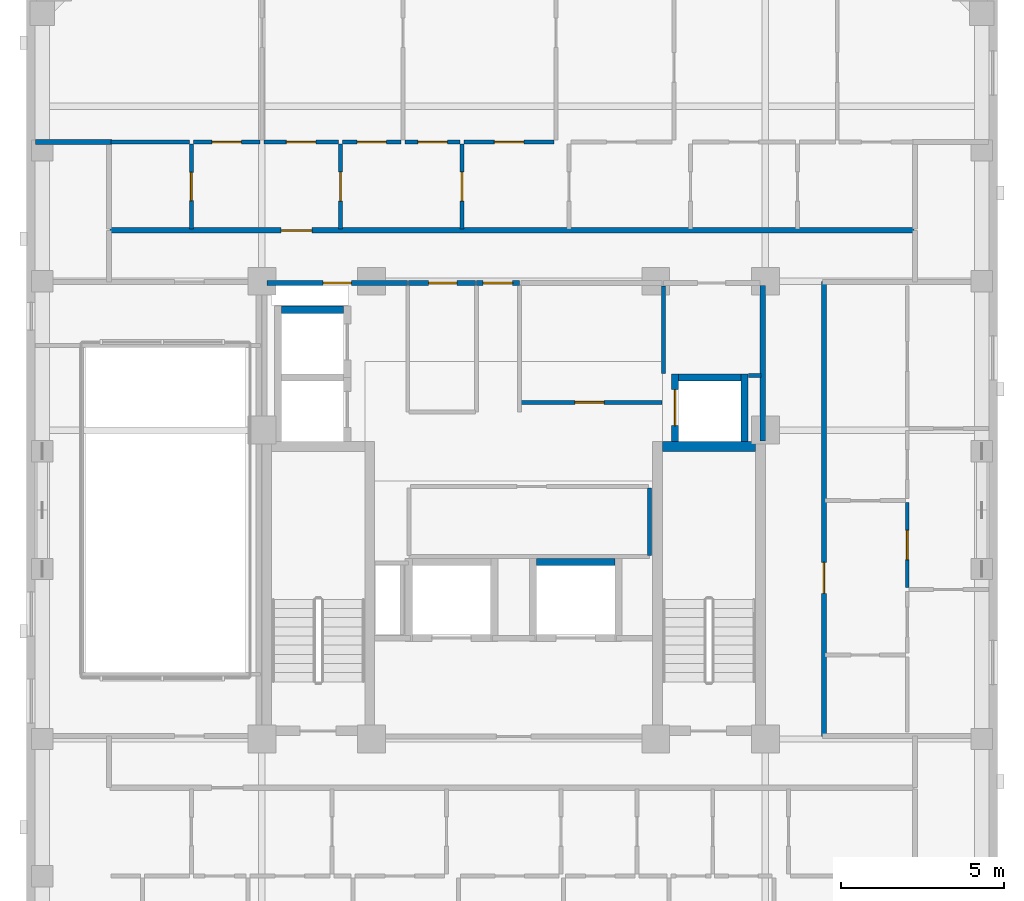
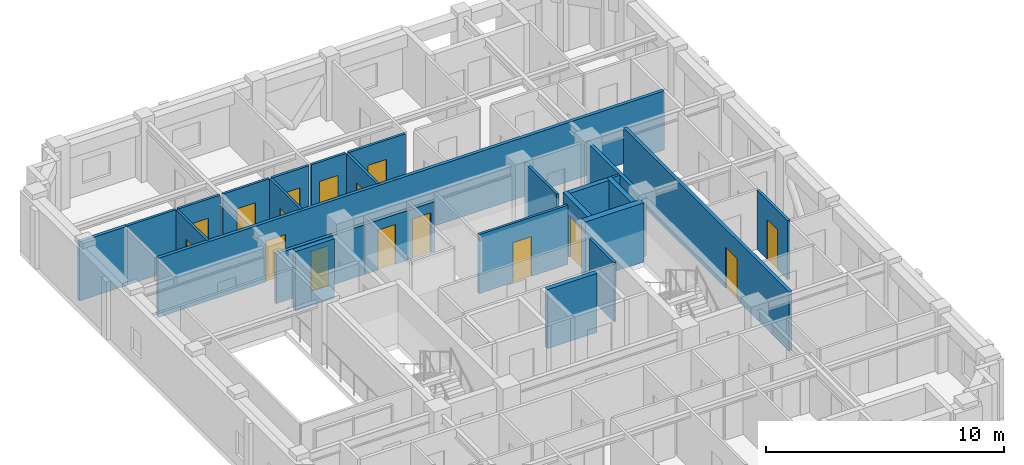
# One storey, part 7 of 12: 27 walls, 16 doors, 16 openings.
"""IFC4 building model written with IfcOpenShell, lengths in metres."""

from ifc_helpers import new_model, si_unit, derived_unit, direction, frame, frame_2d, origin, place, context, subcontext, project, spatial, rectangle, extrude, material, layer, layer_set, type_object, element, fill, save


model = new_model("IFC4")

# Units and contexts
model_context = context("Model", 3, precision=1e-05, world=origin(), true_north=direction((0.0, 1.0)))
body_context = subcontext(model_context, "Body", "Model", "MODEL_VIEW")
ifc_project = project(units=[si_unit("LENGTHUNIT", "METRE"), si_unit("AREAUNIT", "SQUARE_METRE"), si_unit("VOLUMEUNIT", "CUBIC_METRE"), si_unit("PLANEANGLEUNIT", "RADIAN"), si_unit("MASSUNIT", "GRAM", prefix="KILO"), derived_unit("THERMALTRANSMITTANCEUNIT", [(si_unit("MASSUNIT", "GRAM", prefix="KILO"), 1), (si_unit("TIMEUNIT", "SECOND"), -3), (si_unit("THERMODYNAMICTEMPERATUREUNIT", "KELVIN"), -1)])], contexts=[model_context])

# Site, building, storey
site_placement = place(None, origin())
site = spatial("IfcSite", under=ifc_project, at=site_placement, CompositionType="ELEMENT")
building_placement = place(site_placement, origin())
building = spatial("IfcBuilding", under=site, at=building_placement, Name="Korrvale Station Residences", CompositionType="ELEMENT")
storey_placement = place(building_placement, frame((0.0, 0.0, 184.300048828125)))
storey = spatial("IfcBuildingStorey", under=building, at=storey_placement, Name="L53", CompositionType="ELEMENT", Elevation=184.300048828125)

# Walls
ifc_material_1 = material(Name="Concrete C50/60", Category="concrete")
ifc_layer_1 = layer(ifc_material_1, 0.300048828125, Name="Concrete C50/60")
ifc_layer_set_1 = layer_set([ifc_layer_1], Name="Concrete C50/60")
wall_type_1 = type_object("IfcWallType", Name="WAL-CORE-300-C50", PredefinedType="SHEAR", material=ifc_layer_set_1)
wall_1_placement = place(storey_placement, frame((30.050048828125, 23.949951171875, 0.0), z_axis=(0.0, 0.0, 1.0), x_axis=(1.0, 0.0, 0.0)))
element("IfcWall", 1, at=wall_1_placement, inside=storey, type_object=wall_type_1, Name="L53 ST-2 Core Shear Wall North", PredefinedType="SHEAR", context=body_context, shape_type="SweptSolid", body=[
    extrude(rectangle(XDim=2.849853515625, YDim=0.300048828125, at=frame_2d((1.4248046875, 0.0))), origin(), (0.0, 0.0, 1.0), 3.0400390625),
])
ifc_material_2 = material(Name="Acoustic steel-stud gypsum board partition", Category="steel")
ifc_layer_2 = layer(ifc_material_2, 0.1201171875, Name="Acoustic steel-stud gypsum board partition")
ifc_layer_set_2 = layer_set([ifc_layer_2], Name="Acoustic steel-stud gypsum board partition")
wall_type_2 = type_object("IfcWallType", Name="WAL-PART-125", PredefinedType="PARTITIONING", material=ifc_layer_set_2)
wall_2_placement = place(storey_placement, frame((30.080078125, 26.179931640625, 0.0), z_axis=(0.0, 0.0, 1.0), x_axis=(0.0, 1.0, 0.0)))
element("IfcWall", 2, at=wall_2_placement, inside=storey, type_object=wall_type_2, Name="L53 Core Partition CW-CS-W", PredefinedType="PARTITIONING", context=body_context, shape_type="SweptSolid", body=[
    extrude(rectangle(XDim=2.68017578125, YDim=0.1201171875, at=frame_2d((1.340087890625, 0.0))), origin(), (0.0, 0.0, 1.0), 3.0400390625),
])
wall_3_placement = place(storey_placement, frame((32.679931640625, 26.1201171875, 0.0), z_axis=(0.0, 0.0, 1.0), x_axis=(1.0, 0.0, 0.0)))
element("IfcWall", 3, at=wall_3_placement, inside=storey, type_object=wall_type_2, Name="L53 Core Partition CW-CS-S", PredefinedType="PARTITIONING", context=body_context, shape_type="SweptSolid", body=[
    extrude(rectangle(XDim=0.380126953125, YDim=0.1201171875, at=frame_2d((0.18994140625, 0.0))), origin(), (0.0, 0.0, 1.0), 3.0400390625),
])

# Wall, opening, door
wall_4_placement = place(storey_placement, frame((25.719970703125, 25.300048828125, 0.0), z_axis=(0.0, 0.0, 1.0), x_axis=(1.0, 0.0, 0.0)))
wall_4 = element("IfcWall", 4, at=wall_4_placement, inside=storey, type_object=wall_type_2, Name="L53 Core Partition CW-FPLE-S", PredefinedType="PARTITIONING", context=body_context, shape_type="SweptSolid", body=[
    extrude(rectangle(XDim=4.320068359375, YDim=0.1201171875, at=frame_2d((2.16015625, 0.0))), origin(), (0.0, 0.0, 1.0), 3.0400390625),
])
opening_1_placement = place(wall_4_placement, frame((1.64990234375, 0.0, 0.0)))
opening_1 = element("IfcOpeningElement", 5, at=opening_1_placement, cuts=wall_4, Name="Opening DI-900", PredefinedType="OPENING", context=body_context, shape_type="SweptSolid", body=[
    extrude(rectangle(XDim=0.89990234375, YDim=2.050048828125, at=frame_2d((0.449951171875, 1.02490234375))), frame((0.0, 0.070068359375, 0.0), z_axis=(0.0, -1.0, 0.0), x_axis=(1.0, 0.0, 0.0)), (0.0, 0.0, 1.0), 0.14013671875),
])
ifc_material_3 = material(Name="Painted solid-core timber interior room door", Category="wood")
door_type_1 = type_object("IfcDoorType", Name="DR-INT-900", OperationType="NOTDEFINED", PredefinedType="DOOR", material=ifc_material_3)
door_1_placement = place(opening_1_placement, origin())
door_1 = element("IfcDoor", 6, at=door_1_placement, inside=storey, type_object=door_type_1, Name="L53 Housekeeping Linen Door", OperationType="SINGLE_SWING_LEFT", OverallHeight=2.050048828125, OverallWidth=0.89990234375, PredefinedType="DOOR", context=body_context, shape_type="SweptSolid", body=[
    extrude(rectangle(XDim=0.89990234375, YDim=2.050048828125, at=frame_2d((0.449951171875, 1.02490234375))), frame((0.0, 0.02490234375, 0.0), z_axis=(0.0, -1.0, 0.0), x_axis=(1.0, 0.0, 0.0)), (0.0, 0.0, 1.0), 0.050048828125),
])
fill(opening_1, door_1)

# Wall
wall_5_placement = place(storey_placement, frame((29.659912109375, 20.6201171875, 0.0), z_axis=(0.0, 0.0, 1.0), x_axis=(0.0, 1.0, 0.0)))
element("IfcWall", 7, at=wall_5_placement, inside=storey, type_object=wall_type_2, Name="L53 Core Partition CW-FPM-E", PredefinedType="PARTITIONING", context=body_context, shape_type="SweptSolid", body=[
    extrude(rectangle(XDim=2.059814453125, YDim=0.1201171875, at=frame_2d((1.02978515625, 0.0))), origin(), (0.0, 0.0, 1.0), 3.0400390625),
])

# Wall, opening, door
wall_6_placement = place(storey_placement, frame((15.639892578125, 30.60009765625, 0.0), z_axis=(0.0, 0.0, 1.0), x_axis=(0.0, 1.0, 0.0)))
wall_6 = element("IfcWall", 8, at=wall_6_placement, inside=storey, type_object=wall_type_2, Name="L53 Suite Partition U02-V01", PredefinedType="PARTITIONING", context=body_context, shape_type="SweptSolid", body=[
    extrude(rectangle(XDim=2.599853515625, YDim=0.1201171875, at=frame_2d((1.2998046875, 0.0))), origin(), (0.0, 0.0, 1.0), 3.0400390625),
])
opening_2_placement = place(wall_6_placement, frame((0.8701171875, 0.0, 0.0)))
opening_2 = element("IfcOpeningElement", 9, at=opening_2_placement, cuts=wall_6, Name="Opening DB-860", PredefinedType="OPENING", context=body_context, shape_type="SweptSolid", body=[
    extrude(rectangle(XDim=0.860107421875, YDim=2.050048828125, at=frame_2d((0.43017578125, 1.02490234375))), frame((0.0, 0.070068359375, 0.0), z_axis=(0.0, -1.0, 0.0), x_axis=(1.0, 0.0, 0.0)), (0.0, 0.0, 1.0), 0.14013671875),
])
ifc_material_4 = material(Name="Moisture-resistant solid-core bathroom door", Category="timber")
door_type_2 = type_object("IfcDoorType", Name="DR-BATH-860", OperationType="NOTDEFINED", PredefinedType="DOOR", material=ifc_material_4)
door_2_placement = place(opening_2_placement, origin())
door_2 = element("IfcDoor", 10, at=door_2_placement, inside=storey, type_object=door_type_2, Name="L53 Apartment 3BR L53-U02 Bathroom Door", OperationType="SINGLE_SWING_LEFT", OverallHeight=2.050048828125, OverallWidth=0.860107421875, PredefinedType="DOOR", context=body_context, shape_type="SweptSolid", body=[
    extrude(rectangle(XDim=0.860107421875, YDim=2.050048828125, at=frame_2d((0.43017578125, 1.02490234375))), frame((0.0, 0.02490234375, 0.0), z_axis=(0.0, -1.0, 0.0), x_axis=(1.0, 0.0, 0.0)), (0.0, 0.0, 1.0), 0.050048828125),
])
fill(opening_2, door_2)

# Wall
wall_7_placement = place(storey_placement, frame((13.179931640625, 33.260009765625, 0.0), z_axis=(0.0, 0.0, 1.0), x_axis=(1.0, 0.0, 0.0)))
element("IfcWall", 11, at=wall_7_placement, inside=storey, type_object=wall_type_2, Name="L53 Suite Partition U02-H07", PredefinedType="PARTITIONING", context=body_context, shape_type="SweptSolid", body=[
    extrude(rectangle(XDim=2.400146484375, YDim=0.1201171875, at=frame_2d((1.2001953125, 0.0))), origin(), (0.0, 0.0, 1.0), 3.0400390625),
])

# Wall, opening, door
wall_8_placement = place(storey_placement, frame((20.199951171875, 30.60009765625, 0.0), z_axis=(0.0, 0.0, 1.0), x_axis=(0.0, 1.0, 0.0)))
wall_8 = element("IfcWall", 12, at=wall_8_placement, inside=storey, type_object=wall_type_2, Name="L53 Suite Partition U02-V12", PredefinedType="PARTITIONING", context=body_context, shape_type="SweptSolid", body=[
    extrude(rectangle(XDim=2.599853515625, YDim=0.1201171875, at=frame_2d((1.2998046875, 0.0))), origin(), (0.0, 0.0, 1.0), 3.0400390625),
])
opening_3_placement = place(wall_8_placement, frame((0.85009765625, 0.0, 0.0)))
opening_3 = element("IfcOpeningElement", 13, at=opening_3_placement, cuts=wall_8, Name="Opening DI-900", PredefinedType="OPENING", context=body_context, shape_type="SweptSolid", body=[
    extrude(rectangle(XDim=0.89990234375, YDim=2.050048828125, at=frame_2d((0.449951171875, 1.02490234375))), frame((0.0, 0.070068359375, 0.0), z_axis=(0.0, -1.0, 0.0), x_axis=(1.0, 0.0, 0.0)), (0.0, 0.0, 1.0), 0.14013671875),
])
door_3_placement = place(opening_3_placement, origin())
door_3 = element("IfcDoor", 14, at=door_3_placement, inside=storey, type_object=door_type_1, Name="L53 Apartment 3BR L53-U02 Kitchen Door", OperationType="SINGLE_SWING_RIGHT", OverallHeight=2.050048828125, OverallWidth=0.89990234375, PredefinedType="DOOR", context=body_context, shape_type="SweptSolid", body=[
    extrude(rectangle(XDim=0.89990234375, YDim=2.050048828125, at=frame_2d((0.449951171875, 1.02490234375))), frame((0.0, 0.02490234375, 0.0), z_axis=(0.0, -1.0, 0.0), x_axis=(1.0, 0.0, 0.0)), (0.0, 0.0, 1.0), 0.050048828125),
])
fill(opening_3, door_3)

wall_9_placement = place(storey_placement, frame((15.699951171875, 33.260009765625, 0.0), z_axis=(0.0, 0.0, 1.0), x_axis=(1.0, 0.0, 0.0)))
wall_9 = element("IfcWall", 15, at=wall_9_placement, inside=storey, type_object=wall_type_2, Name="L53 Suite Partition U02-H17", PredefinedType="PARTITIONING", context=body_context, shape_type="SweptSolid", body=[
    extrude(rectangle(XDim=2.0400390625, YDim=0.1201171875, at=frame_2d((1.02001953125, 0.0))), origin(), (0.0, 0.0, 1.0), 3.0400390625),
])
opening_4_placement = place(wall_9_placement, frame((0.570068359375, 0.0, 0.0)))
opening_4 = element("IfcOpeningElement", 16, at=opening_4_placement, cuts=wall_9, Name="Opening DI-900", PredefinedType="OPENING", context=body_context, shape_type="SweptSolid", body=[
    extrude(rectangle(XDim=0.89990234375, YDim=2.050048828125, at=frame_2d((0.449951171875, 1.02490234375))), frame((0.0, 0.070068359375, 0.0), z_axis=(0.0, -1.0, 0.0), x_axis=(1.0, 0.0, 0.0)), (0.0, 0.0, 1.0), 0.14013671875),
])
door_4_placement = place(opening_4_placement, origin())
door_4 = element("IfcDoor", 17, at=door_4_placement, inside=storey, type_object=door_type_1, Name="L53 Apartment 3BR L53-U02 Kitchen Door", OperationType="SINGLE_SWING_LEFT", OverallHeight=2.050048828125, OverallWidth=0.89990234375, PredefinedType="DOOR", context=body_context, shape_type="SweptSolid", body=[
    extrude(rectangle(XDim=0.89990234375, YDim=2.050048828125, at=frame_2d((0.449951171875, 1.02490234375))), frame((0.0, 0.02490234375, 0.0), z_axis=(0.0, -1.0, 0.0), x_axis=(1.0, 0.0, 0.0)), (0.0, 0.0, 1.0), 0.050048828125),
])
fill(opening_4, door_4)

wall_10_placement = place(storey_placement, frame((17.860107421875, 33.260009765625, 0.0), z_axis=(0.0, 0.0, 1.0), x_axis=(1.0, 0.0, 0.0)))
wall_10 = element("IfcWall", 18, at=wall_10_placement, inside=storey, type_object=wall_type_2, Name="L53 Suite Partition U02-H18", PredefinedType="PARTITIONING", context=body_context, shape_type="SweptSolid", body=[
    extrude(rectangle(XDim=2.27978515625, YDim=0.1201171875, at=frame_2d((1.139892578125, 0.0))), origin(), (0.0, 0.0, 1.0), 3.0400390625),
])
opening_5_placement = place(wall_10_placement, frame((0.68994140625, 0.0, 0.0)))
opening_5 = element("IfcOpeningElement", 19, at=opening_5_placement, cuts=wall_10, Name="Opening DI-900", PredefinedType="OPENING", context=body_context, shape_type="SweptSolid", body=[
    extrude(rectangle(XDim=0.89990234375, YDim=2.050048828125, at=frame_2d((0.449951171875, 1.02490234375))), frame((0.0, 0.070068359375, 0.0), z_axis=(0.0, -1.0, 0.0), x_axis=(1.0, 0.0, 0.0)), (0.0, 0.0, 1.0), 0.14013671875),
])
door_5_placement = place(opening_5_placement, origin())
door_5 = element("IfcDoor", 20, at=door_5_placement, inside=storey, type_object=door_type_1, Name="L53 Apartment 3BR L53-U02 Kitchen Door", OperationType="SINGLE_SWING_RIGHT", OverallHeight=2.050048828125, OverallWidth=0.89990234375, PredefinedType="DOOR", context=body_context, shape_type="SweptSolid", body=[
    extrude(rectangle(XDim=0.89990234375, YDim=2.050048828125, at=frame_2d((0.449951171875, 1.02490234375))), frame((0.0, 0.02490234375, 0.0), z_axis=(0.0, -1.0, 0.0), x_axis=(1.0, 0.0, 0.0)), (0.0, 0.0, 1.0), 0.050048828125),
])
fill(opening_5, door_5)

wall_11_placement = place(storey_placement, frame((23.919921875, 30.60009765625, 0.0), z_axis=(0.0, 0.0, 1.0), x_axis=(0.0, 1.0, 0.0)))
wall_11 = element("IfcWall", 21, at=wall_11_placement, inside=storey, type_object=wall_type_2, Name="L53 Suite Partition U02-V23", PredefinedType="PARTITIONING", context=body_context, shape_type="SweptSolid", body=[
    extrude(rectangle(XDim=2.599853515625, YDim=0.1201171875, at=frame_2d((1.2998046875, 0.0))), origin(), (0.0, 0.0, 1.0), 3.0400390625),
])
opening_6_placement = place(wall_11_placement, frame((0.85009765625, 0.0, 0.0)))
opening_6 = element("IfcOpeningElement", 22, at=opening_6_placement, cuts=wall_11, Name="Opening DI-900", PredefinedType="OPENING", context=body_context, shape_type="SweptSolid", body=[
    extrude(rectangle(XDim=0.89990234375, YDim=2.050048828125, at=frame_2d((0.449951171875, 1.02490234375))), frame((0.0, 0.070068359375, 0.0), z_axis=(0.0, -1.0, 0.0), x_axis=(1.0, 0.0, 0.0)), (0.0, 0.0, 1.0), 0.14013671875),
])
door_6_placement = place(opening_6_placement, origin())
door_6 = element("IfcDoor", 23, at=door_6_placement, inside=storey, type_object=door_type_1, Name="L53 Apartment 3BR L53-U02 Utility and Laundry Room Door", OperationType="SINGLE_SWING_LEFT", OverallHeight=2.050048828125, OverallWidth=0.89990234375, PredefinedType="DOOR", context=body_context, shape_type="SweptSolid", body=[
    extrude(rectangle(XDim=0.89990234375, YDim=2.050048828125, at=frame_2d((0.449951171875, 1.02490234375))), frame((0.0, 0.02490234375, 0.0), z_axis=(0.0, -1.0, 0.0), x_axis=(1.0, 0.0, 0.0)), (0.0, 0.0, 1.0), 0.050048828125),
])
fill(opening_6, door_6)

wall_12_placement = place(storey_placement, frame((20.260009765625, 33.260009765625, 0.0), z_axis=(0.0, 0.0, 1.0), x_axis=(1.0, 0.0, 0.0)))
wall_12 = element("IfcWall", 24, at=wall_12_placement, inside=storey, type_object=wall_type_2, Name="L53 Suite Partition U02-H28", PredefinedType="PARTITIONING", context=body_context, shape_type="SweptSolid", body=[
    extrude(rectangle(XDim=1.800048828125, YDim=0.1201171875, at=frame_2d((0.89990234375, 0.0))), origin(), (0.0, 0.0, 1.0), 3.0400390625),
])
opening_7_placement = place(wall_12_placement, frame((0.449951171875, 0.0, 0.0)))
opening_7 = element("IfcOpeningElement", 25, at=opening_7_placement, cuts=wall_12, Name="Opening DI-900", PredefinedType="OPENING", context=body_context, shape_type="SweptSolid", body=[
    extrude(rectangle(XDim=0.89990234375, YDim=2.050048828125, at=frame_2d((0.449951171875, 1.02490234375))), frame((0.0, 0.070068359375, 0.0), z_axis=(0.0, -1.0, 0.0), x_axis=(1.0, 0.0, 0.0)), (0.0, 0.0, 1.0), 0.14013671875),
])
door_7_placement = place(opening_7_placement, origin())
door_7 = element("IfcDoor", 26, at=door_7_placement, inside=storey, type_object=door_type_1, Name="L53 Apartment 3BR L53-U02 Utility and Laundry Room Door", OperationType="SINGLE_SWING_RIGHT", OverallHeight=2.050048828125, OverallWidth=0.89990234375, PredefinedType="DOOR", context=body_context, shape_type="SweptSolid", body=[
    extrude(rectangle(XDim=0.89990234375, YDim=2.050048828125, at=frame_2d((0.449951171875, 1.02490234375))), frame((0.0, 0.02490234375, 0.0), z_axis=(0.0, -1.0, 0.0), x_axis=(1.0, 0.0, 0.0)), (0.0, 0.0, 1.0), 0.050048828125),
])
fill(opening_7, door_7)

wall_13_placement = place(storey_placement, frame((22.179931640625, 33.260009765625, 0.0), z_axis=(0.0, 0.0, 1.0), x_axis=(1.0, 0.0, 0.0)))
wall_13 = element("IfcWall", 27, at=wall_13_placement, inside=storey, type_object=wall_type_2, Name="L53 Suite Partition U02-H29", PredefinedType="PARTITIONING", context=body_context, shape_type="SweptSolid", body=[
    extrude(rectangle(XDim=1.68017578125, YDim=0.1201171875, at=frame_2d((0.840087890625, 0.0))), origin(), (0.0, 0.0, 1.0), 3.0400390625),
])
opening_8_placement = place(wall_13_placement, frame((0.389892578125, 0.0, 0.0)))
opening_8 = element("IfcOpeningElement", 28, at=opening_8_placement, cuts=wall_13, Name="Opening DI-900", PredefinedType="OPENING", context=body_context, shape_type="SweptSolid", body=[
    extrude(rectangle(XDim=0.89990234375, YDim=2.050048828125, at=frame_2d((0.449951171875, 1.02490234375))), frame((0.0, 0.070068359375, 0.0), z_axis=(0.0, -1.0, 0.0), x_axis=(1.0, 0.0, 0.0)), (0.0, 0.0, 1.0), 0.14013671875),
])
door_8_placement = place(opening_8_placement, origin())
door_8 = element("IfcDoor", 29, at=door_8_placement, inside=storey, type_object=door_type_1, Name="L53 Apartment 3BR L53-U02 Utility and Laundry Room Door", OperationType="SINGLE_SWING_LEFT", OverallHeight=2.050048828125, OverallWidth=0.89990234375, PredefinedType="DOOR", context=body_context, shape_type="SweptSolid", body=[
    extrude(rectangle(XDim=0.89990234375, YDim=2.050048828125, at=frame_2d((0.449951171875, 1.02490234375))), frame((0.0, 0.02490234375, 0.0), z_axis=(0.0, -1.0, 0.0), x_axis=(1.0, 0.0, 0.0)), (0.0, 0.0, 1.0), 0.050048828125),
])
fill(opening_8, door_8)

wall_14_placement = place(storey_placement, frame((23.97998046875, 33.260009765625, 0.0), z_axis=(0.0, 0.0, 1.0), x_axis=(1.0, 0.0, 0.0)))
wall_14 = element("IfcWall", 30, at=wall_14_placement, inside=storey, type_object=wall_type_2, Name="L53 Suite Partition U02-H39", PredefinedType="PARTITIONING", context=body_context, shape_type="SweptSolid", body=[
    extrude(rectangle(XDim=2.760009765625, YDim=0.1201171875, at=frame_2d((1.3798828125, 0.0))), origin(), (0.0, 0.0, 1.0), 3.0400390625),
])
opening_9_placement = place(wall_14_placement, frame((0.929931640625, 0.0, 0.0)))
opening_9 = element("IfcOpeningElement", 31, at=opening_9_placement, cuts=wall_14, Name="Opening DI-900", PredefinedType="OPENING", context=body_context, shape_type="SweptSolid", body=[
    extrude(rectangle(XDim=0.89990234375, YDim=2.050048828125, at=frame_2d((0.449951171875, 1.02490234375))), frame((0.0, 0.070068359375, 0.0), z_axis=(0.0, -1.0, 0.0), x_axis=(1.0, 0.0, 0.0)), (0.0, 0.0, 1.0), 0.14013671875),
])
door_9_placement = place(opening_9_placement, origin())
door_9 = element("IfcDoor", 32, at=door_9_placement, inside=storey, type_object=door_type_1, Name="L53 Apartment 3BR L53-U02 Storage Closet 2 Door", OperationType="SINGLE_SWING_LEFT", OverallHeight=2.050048828125, OverallWidth=0.89990234375, PredefinedType="DOOR", context=body_context, shape_type="SweptSolid", body=[
    extrude(rectangle(XDim=0.89990234375, YDim=2.050048828125, at=frame_2d((0.449951171875, 1.02490234375))), frame((0.0, 0.02490234375, 0.0), z_axis=(0.0, -1.0, 0.0), x_axis=(1.0, 0.0, 0.0)), (0.0, 0.0, 1.0), 0.050048828125),
])
fill(opening_9, door_9)

wall_15_placement = place(storey_placement, frame((37.5400390625, 19.637939453125, 0.0), z_axis=(0.0, 0.0, 1.0), x_axis=(0.0, 1.0, 0.0)))
wall_15 = element("IfcWall", 33, at=wall_15_placement, inside=storey, type_object=wall_type_2, Name="L53 Suite Partition U03-V24", PredefinedType="PARTITIONING", context=body_context, shape_type="SweptSolid", body=[
    extrude(rectangle(XDim=2.592041015625, YDim=0.1201171875, at=frame_2d((1.2958984375, 0.0))), origin(), (0.0, 0.0, 1.0), 3.0400390625),
])
opening_10_placement = place(wall_15_placement, frame((0.845947265625, 0.0, 0.0)))
opening_10 = element("IfcOpeningElement", 34, at=opening_10_placement, cuts=wall_15, Name="Opening DI-900", PredefinedType="OPENING", context=body_context, shape_type="SweptSolid", body=[
    extrude(rectangle(XDim=0.89990234375, YDim=2.050048828125, at=frame_2d((0.449951171875, 1.02490234375))), frame((0.0, 0.070068359375, 0.0), z_axis=(0.0, -1.0, 0.0), x_axis=(1.0, 0.0, 0.0)), (0.0, 0.0, 1.0), 0.14013671875),
])
door_10_placement = place(opening_10_placement, origin())
door_10 = element("IfcDoor", 35, at=door_10_placement, inside=storey, type_object=door_type_1, Name="L53 Apartment 2BR L53-U03 Kitchen Door", OperationType="SINGLE_SWING_LEFT", OverallHeight=2.050048828125, OverallWidth=0.89990234375, PredefinedType="DOOR", context=body_context, shape_type="SweptSolid", body=[
    extrude(rectangle(XDim=0.89990234375, YDim=2.050048828125, at=frame_2d((0.449951171875, 1.02490234375))), frame((0.0, 0.02490234375, 0.0), z_axis=(0.0, -1.0, 0.0), x_axis=(1.0, 0.0, 0.0)), (0.0, 0.0, 1.0), 0.050048828125),
])
fill(opening_10, door_10)

# Wall
ifc_material_5 = material(Name="Fire-rated twin-stud gypsum and mineral wool shaftwall assembly", Category="gypsum")
ifc_layer_3 = layer(ifc_material_5, 0.159912109375, Name="Fire-rated twin-stud gypsum and mineral wool shaftwall assembly")
ifc_layer_set_3 = layer_set([ifc_layer_3], Name="Fire-rated twin-stud gypsum and mineral wool shaftwall assembly")
wall_type_3 = type_object("IfcWallType", Name="WAL-PART-200", PredefinedType="PARTITIONING", material=ifc_layer_set_3)
wall_16_placement = place(storey_placement, frame((33.1201171875, 24.1201171875, 0.0), z_axis=(0.0, 0.0, 1.0), x_axis=(0.0, 1.0, 0.0)))
element("IfcWall", 36, at=wall_16_placement, inside=storey, type_object=wall_type_3, Name="L53 Core Partition CW-E-N", PredefinedType="PARTITIONING", context=body_context, shape_type="SweptSolid", body=[
    extrude(rectangle(XDim=4.759765625, YDim=0.159912109375, at=frame_2d((2.3798828125, 0.0))), origin(), (0.0, 0.0, 1.0), 3.0400390625),
])

# Wall, opening, door
wall_17_placement = place(storey_placement, frame((24.360107421875, 28.949951171875, 0.0), z_axis=(0.0, 0.0, 1.0), x_axis=(1.0, 0.0, 0.0)))
wall_17 = element("IfcWall", 37, at=wall_17_placement, inside=storey, type_object=wall_type_3, Name="L53 Core Partition CW-LLOB-N", PredefinedType="PARTITIONING", context=body_context, shape_type="SweptSolid", body=[
    extrude(rectangle(XDim=1.31982421875, YDim=0.159912109375, at=frame_2d((0.659912109375, 0.0))), origin(), (0.0, 0.0, 1.0), 2.555908203125),
])
opening_11_placement = place(wall_17_placement, frame((0.2099609375, 0.0, 0.0)))
opening_11 = element("IfcOpeningElement", 38, at=opening_11_placement, cuts=wall_17, Name="Opening DI-900", PredefinedType="OPENING", context=body_context, shape_type="SweptSolid", body=[
    extrude(rectangle(XDim=0.89990234375, YDim=2.050048828125, at=frame_2d((0.449951171875, 1.02490234375))), frame((0.0, 0.08984375, 0.0), z_axis=(0.0, -1.0, 0.0), x_axis=(1.0, 0.0, 0.0)), (0.0, 0.0, 1.0), 0.179931640625),
])
door_11_placement = place(opening_11_placement, origin())
door_11 = element("IfcDoor", 39, at=door_11_placement, inside=storey, type_object=door_type_1, Name="L53 Central Hallway North Passage Door", OperationType="SINGLE_SWING_LEFT", OverallHeight=2.050048828125, OverallWidth=0.89990234375, PredefinedType="DOOR", context=body_context, shape_type="SweptSolid", body=[
    extrude(rectangle(XDim=0.89990234375, YDim=2.050048828125, at=frame_2d((0.449951171875, 1.02490234375))), frame((0.0, 0.02490234375, 0.0), z_axis=(0.0, -1.0, 0.0), x_axis=(1.0, 0.0, 0.0)), (0.0, 0.0, 1.0), 0.050048828125),
])
fill(opening_11, door_11)

wall_18_placement = place(storey_placement, frame((17.9599609375, 28.949951171875, 0.0), z_axis=(0.0, 0.0, 1.0), x_axis=(1.0, 0.0, 0.0)))
wall_18 = element("IfcWall", 40, at=wall_18_placement, inside=storey, type_object=wall_type_3, Name="L53 Core Partition CW-NW", PredefinedType="PARTITIONING", context=body_context, shape_type="SweptSolid", body=[
    extrude(rectangle(XDim=4.2900390625, YDim=0.159912109375, at=frame_2d((2.14501953125, 0.0))), origin(), (0.0, 0.0, 1.0), 2.555908203125),
])
opening_12_placement = place(wall_18_placement, frame((1.715087890625, 0.0, 0.0)))
opening_12 = element("IfcOpeningElement", 41, at=opening_12_placement, cuts=wall_18, Name="Opening DB-860", PredefinedType="OPENING", context=body_context, shape_type="SweptSolid", body=[
    extrude(rectangle(XDim=0.860107421875, YDim=2.050048828125, at=frame_2d((0.43017578125, 1.02490234375))), frame((0.0, 0.08984375, 0.0), z_axis=(0.0, -1.0, 0.0), x_axis=(1.0, 0.0, 0.0)), (0.0, 0.0, 1.0), 0.179931640625),
])
door_12_placement = place(opening_12_placement, origin())
door_12 = element("IfcDoor", 42, at=door_12_placement, inside=storey, type_object=door_type_2, Name="L53 Electrical Riser Access Door", OperationType="SINGLE_SWING_RIGHT", OverallHeight=2.050048828125, OverallWidth=0.860107421875, PredefinedType="DOOR", context=body_context, shape_type="SweptSolid", body=[
    extrude(rectangle(XDim=0.860107421875, YDim=2.050048828125, at=frame_2d((0.43017578125, 1.02490234375))), frame((0.0, 0.02490234375, 0.0), z_axis=(0.0, -1.0, 0.0), x_axis=(1.0, 0.0, 0.0)), (0.0, 0.0, 1.0), 0.050048828125),
])
fill(opening_12, door_12)

wall_19_placement = place(storey_placement, frame((22.280029296875, 28.949951171875, 0.0), z_axis=(0.0, 0.0, 1.0), x_axis=(1.0, 0.0, 0.0)))
wall_19 = element("IfcWall", 43, at=wall_19_placement, inside=storey, type_object=wall_type_3, Name="L53 Core Partition CW-FPLW-N", PredefinedType="PARTITIONING", context=body_context, shape_type="SweptSolid", body=[
    extrude(rectangle(XDim=2.06005859375, YDim=0.159912109375, at=frame_2d((1.030029296875, 0.0))), origin(), (0.0, 0.0, 1.0), 2.555908203125),
])
opening_13_placement = place(wall_19_placement, frame((0.6201171875, 0.0, 0.0)))
opening_13 = element("IfcOpeningElement", 44, at=opening_13_placement, cuts=wall_19, Name="Opening DB-860", PredefinedType="OPENING", context=body_context, shape_type="SweptSolid", body=[
    extrude(rectangle(XDim=0.860107421875, YDim=2.050048828125, at=frame_2d((0.43017578125, 1.02490234375))), frame((0.0, 0.08984375, 0.0), z_axis=(0.0, -1.0, 0.0), x_axis=(1.0, 0.0, 0.0)), (0.0, 0.0, 1.0), 0.179931640625),
])
door_13_placement = place(opening_13_placement, origin())
door_13 = element("IfcDoor", 45, at=door_13_placement, inside=storey, type_object=door_type_2, Name="L53 Resident Parcel Room Door", OperationType="SINGLE_SWING_RIGHT", OverallHeight=2.050048828125, OverallWidth=0.860107421875, PredefinedType="DOOR", context=body_context, shape_type="SweptSolid", body=[
    extrude(rectangle(XDim=0.860107421875, YDim=2.050048828125, at=frame_2d((0.43017578125, 1.02490234375))), frame((0.0, 0.02490234375, 0.0), z_axis=(0.0, -1.0, 0.0), x_axis=(1.0, 0.0, 0.0)), (0.0, 0.0, 1.0), 0.050048828125),
])
fill(opening_13, door_13)

# Wall
wall_20_placement = place(storey_placement, frame((10.8798828125, 33.260009765625, 0.0), z_axis=(0.0, 0.0, 1.0), x_axis=(1.0, 0.0, 0.0)))
element("IfcWall", 46, at=wall_20_placement, inside=storey, type_object=wall_type_3, Name="L53 Corner Step Wall U02-L", PredefinedType="PARTITIONING", context=body_context, shape_type="SweptSolid", body=[
    extrude(rectangle(XDim=2.340087890625, YDim=0.159912109375, at=frame_2d((1.169921875, 0.0))), origin(), (0.0, 0.0, 1.0), 3.0400390625),
])

# Wall, opening, door
wall_21_placement = place(storey_placement, frame((13.14990234375, 30.56005859375, 0.0), z_axis=(0.0, 0.0, 1.0), x_axis=(1.0, 0.0, 0.0)))
wall_21 = element("IfcWall", 47, at=wall_21_placement, inside=storey, type_object=wall_type_3, Name="L53 Rated Corridor Wall N", PredefinedType="PARTITIONING", context=body_context, shape_type="SweptSolid", body=[
    extrude(rectangle(XDim=24.60009765625, YDim=0.159912109375, at=frame_2d((12.300048828125, 0.0))), origin(), (0.0, 0.0, 1.0), 3.0400390625),
])
opening_14_placement = place(wall_21_placement, frame((5.235107421875, 0.0, 0.0)))
opening_14 = element("IfcOpeningElement", 48, at=opening_14_placement, cuts=wall_21, Name="Opening UD-950", PredefinedType="OPENING", context=body_context, shape_type="SweptSolid", body=[
    extrude(rectangle(XDim=0.949951171875, YDim=2.10009765625, at=frame_2d((0.47509765625, 1.050048828125))), frame((0.0, 0.08984375, 0.0), z_axis=(0.0, -1.0, 0.0), x_axis=(1.0, 0.0, 0.0)), (0.0, 0.0, 1.0), 0.179931640625),
])
ifc_material_6 = material(Name="Solid-core acoustic oak apartment entrance door", Category="timber")
door_type_3 = type_object("IfcDoorType", Name="DR-UNIT-950", OperationType="NOTDEFINED", PredefinedType="DOOR", material=ifc_material_6)
door_14_placement = place(opening_14_placement, origin())
door_14 = element("IfcDoor", 49, at=door_14_placement, inside=storey, type_object=door_type_3, Name="L53 Apartment L53-U02 Entrance Door", OperationType="SINGLE_SWING_LEFT", OverallHeight=2.10009765625, OverallWidth=0.949951171875, PredefinedType="DOOR", context=body_context, shape_type="SweptSolid", body=[
    extrude(rectangle(XDim=0.949951171875, YDim=2.10009765625, at=frame_2d((0.47509765625, 1.050048828125))), frame((0.0, 0.02490234375, 0.0), z_axis=(0.0, -1.0, 0.0), x_axis=(1.0, 0.0, 0.0)), (0.0, 0.0, 1.0), 0.050048828125),
])
fill(opening_14, door_14)

wall_22_placement = place(storey_placement, frame((34.989990234375, 15.070068359375, 0.0), z_axis=(0.0, 0.0, 1.0), x_axis=(0.0, 1.0, 0.0)))
wall_22 = element("IfcWall", 50, at=wall_22_placement, inside=storey, type_object=wall_type_3, Name="L53 Rated Corridor Wall E", PredefinedType="PARTITIONING", context=body_context, shape_type="SweptSolid", body=[
    extrude(rectangle(XDim=13.929931640625, YDim=0.159912109375, at=frame_2d((6.96484375, 0.0))), origin(), (0.0, 0.0, 1.0), 3.0400390625),
])
opening_15_placement = place(wall_22_placement, frame((4.385009765625, 0.0, 0.0)))
opening_15 = element("IfcOpeningElement", 51, at=opening_15_placement, cuts=wall_22, Name="Opening UD-950", PredefinedType="OPENING", context=body_context, shape_type="SweptSolid", body=[
    extrude(rectangle(XDim=0.949951171875, YDim=2.10009765625, at=frame_2d((0.47509765625, 1.050048828125))), frame((0.0, 0.08984375, 0.0), z_axis=(0.0, -1.0, 0.0), x_axis=(1.0, 0.0, 0.0)), (0.0, 0.0, 1.0), 0.179931640625),
])
door_15_placement = place(opening_15_placement, origin())
door_15 = element("IfcDoor", 52, at=door_15_placement, inside=storey, type_object=door_type_3, Name="L53 Apartment L53-U03 Entrance Door", OperationType="SINGLE_SWING_RIGHT", OverallHeight=2.10009765625, OverallWidth=0.949951171875, PredefinedType="DOOR", context=body_context, shape_type="SweptSolid", body=[
    extrude(rectangle(XDim=0.949951171875, YDim=2.10009765625, at=frame_2d((0.47509765625, 1.050048828125))), frame((0.0, 0.02490234375, 0.0), z_axis=(0.0, -1.0, 0.0), x_axis=(1.0, 0.0, 0.0)), (0.0, 0.0, 1.0), 0.050048828125),
])
fill(opening_15, door_15)

# Walls
ifc_layer_4 = layer(ifc_material_1, 0.219970703125, Name="Concrete C50/60")
ifc_layer_set_4 = layer_set([ifc_layer_4], Name="Concrete C50/60")
wall_type_4 = type_object("IfcWallType", Name="WAL-SHAFT-220-C50", PredefinedType="SHEAR", material=ifc_layer_set_4)
wall_23_placement = place(storey_placement, frame((18.39990234375, 28.1298828125, 0.0), z_axis=(0.0, 0.0, 1.0), x_axis=(1.0, 0.0, 0.0)))
element("IfcWall", 53, at=wall_23_placement, inside=storey, type_object=wall_type_4, Name="L53 Elevator PH-2 Hoistway Wall North", PredefinedType="SHEAR", context=body_context, shape_type="SweptSolid", body=[
    extrude(rectangle(XDim=1.900146484375, YDim=0.219970703125, at=frame_2d((0.9501953125, 0.0))), origin(), (0.0, 0.0, 1.0), 3.0400390625),
])
wall_24_placement = place(storey_placement, frame((30.550048828125, 26.06005859375, 0.0), z_axis=(0.0, 0.0, 1.0), x_axis=(1.0, 0.0, 0.0)))
element("IfcWall", 54, at=wall_24_placement, inside=storey, type_object=wall_type_4, Name="L53 Elevator PH-3 Hoistway Wall North", PredefinedType="SHEAR", context=body_context, shape_type="SweptSolid", body=[
    extrude(rectangle(XDim=1.89990234375, YDim=0.219970703125, at=frame_2d((0.949951171875, 0.0))), origin(), (0.0, 0.0, 1.0), 3.0400390625),
])

# Wall, opening, door
wall_25_placement = place(storey_placement, frame((30.43994140625, 24.10009765625, 0.0), z_axis=(0.0, 0.0, 1.0), x_axis=(0.0, 1.0, 0.0)))
wall_25 = element("IfcWall", 55, at=wall_25_placement, inside=storey, type_object=wall_type_4, Name="L53 Elevator PH-3 Hoistway Wall West", PredefinedType="SHEAR", context=body_context, shape_type="SweptSolid", body=[
    extrude(rectangle(XDim=2.06982421875, YDim=0.219970703125, at=frame_2d((1.034912109375, 0.0))), origin(), (0.0, 0.0, 1.0), 3.0400390625),
])
opening_16_placement = place(wall_25_placement, frame((0.485107421875, 0.0, 0.0)))
opening_16 = element("IfcOpeningElement", 56, at=opening_16_placement, cuts=wall_25, Name="Opening LD-1100", PredefinedType="OPENING", context=body_context, shape_type="SweptSolid", body=[
    extrude(rectangle(XDim=1.10009765625, YDim=2.14990234375, at=frame_2d((0.550048828125, 1.074951171875))), frame((0.0, 0.1201171875, 0.0), z_axis=(0.0, -1.0, 0.0), x_axis=(1.0, 0.0, 0.0)), (0.0, 0.0, 1.0), 0.239990234375),
])
ifc_material_7 = material(Name="Brushed stainless-steel elevator landing sliding door", Category="steel")
door_type_4 = type_object("IfcDoorType", Name="DR-LIFT-1100", OperationType="SLIDING_TO_LEFT", PredefinedType="DOOR", material=ifc_material_7)
door_16_placement = place(opening_16_placement, origin())
door_16 = element("IfcDoor", 57, at=door_16_placement, inside=storey, type_object=door_type_4, Name="L53 Elevator PH-3 Sliding Landing Door", OperationType="SLIDING_TO_LEFT", OverallHeight=2.14990234375, OverallWidth=1.10009765625, PredefinedType="DOOR", context=body_context, shape_type="SweptSolid", body=[
    extrude(rectangle(XDim=1.10009765625, YDim=2.14990234375, at=frame_2d((0.550048828125, 1.074951171875))), frame((0.0, 0.02490234375, 0.0), z_axis=(0.0, -1.0, 0.0), x_axis=(1.0, 0.0, 0.0)), (0.0, 0.0, 1.0), 0.050048828125),
])
fill(opening_16, door_16)

# Walls
wall_26_placement = place(storey_placement, frame((32.56005859375, 24.10009765625, 0.0), z_axis=(0.0, 0.0, 1.0), x_axis=(0.0, 1.0, 0.0)))
element("IfcWall", 58, at=wall_26_placement, inside=storey, type_object=wall_type_4, Name="L53 Elevator PH-3 Hoistway Wall East", PredefinedType="SHEAR", context=body_context, shape_type="SweptSolid", body=[
    extrude(rectangle(XDim=2.06982421875, YDim=0.219970703125, at=frame_2d((1.034912109375, 0.0))), origin(), (0.0, 0.0, 1.0), 3.0400390625),
])
wall_27_placement = place(storey_placement, frame((26.199951171875, 20.409912109375, 0.0), z_axis=(0.0, 0.0, 1.0), x_axis=(1.0, 0.0, 0.0)))
element("IfcWall", 59, at=wall_27_placement, inside=storey, type_object=wall_type_4, Name="L53 Elevator FFL-2 Hoistway Wall North", PredefinedType="SHEAR", context=body_context, shape_type="SweptSolid", body=[
    extrude(rectangle(XDim=2.400146484375, YDim=0.219970703125, at=frame_2d((1.2001953125, 0.0))), origin(), (0.0, 0.0, 1.0), 3.0400390625),
])

save(model, "model.ifc")
